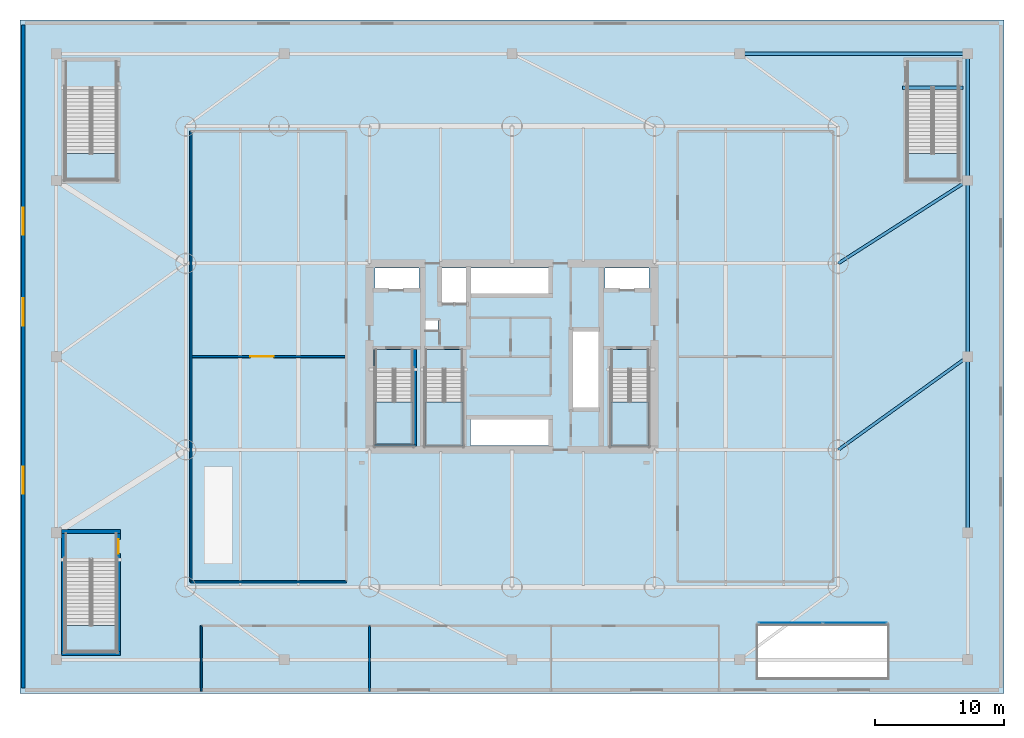
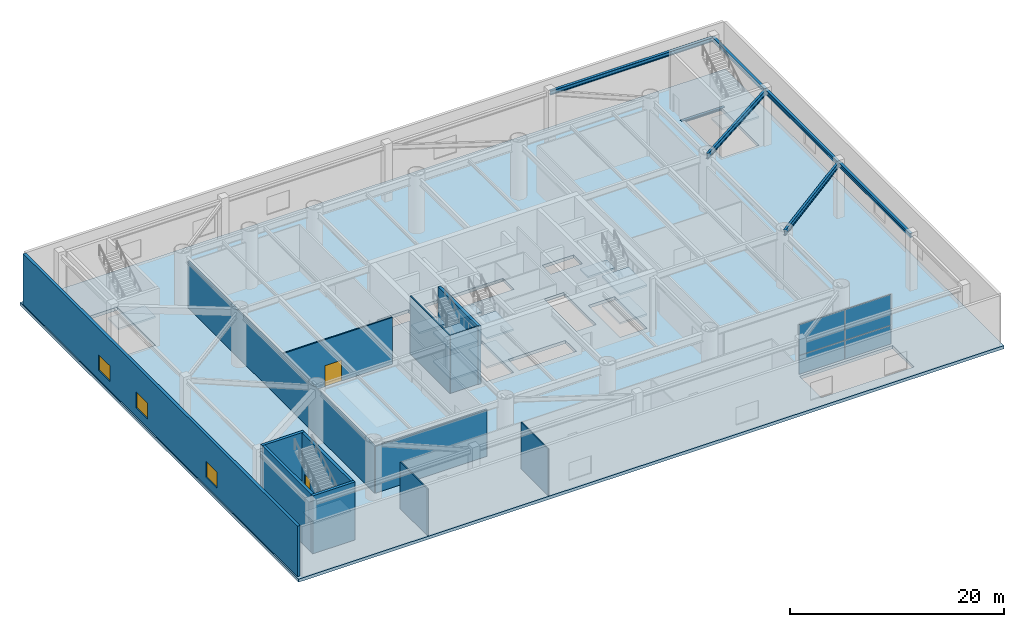
# One storey, part 5 of 16: 13 slabs, 13 walls, 7 beams, 4 plates, 3 windows, 2 doors, 5 openings, 7 elements without a shape of their own.
"""IFC4 building model written with IfcOpenShell, lengths in metres."""

from ifc_helpers import new_model, si_unit, direction, frame, frame_2d, origin, origin_2d, place, context, subcontext, project, spatial, polyline, rectangle, i_section, outline, extrude, material, layer, layer_set, material_profile, profile_set, type_object, element, fill, aggregate, save


model = new_model("IFC4")

# Units and contexts
model_context = context("Model", 3, precision=1e-05, world=origin(), true_north=direction((0.0, 1.0)))
body_context = subcontext(model_context, "Body", "Model", "MODEL_VIEW")
ifc_project = project(units=[si_unit("LENGTHUNIT", "METRE"), si_unit("AREAUNIT", "SQUARE_METRE"), si_unit("VOLUMEUNIT", "CUBIC_METRE"), si_unit("PLANEANGLEUNIT", "RADIAN"), si_unit("MASSUNIT", "GRAM", prefix="KILO")], contexts=[model_context])

# Site, building, storey
site_placement = place(None, origin())
site = spatial("IfcSite", under=ifc_project, at=site_placement, CompositionType="ELEMENT")
building_placement = place(site_placement, origin())
building = spatial("IfcBuilding", under=site, at=building_placement, Name="Bramvorn Convention Spire", CompositionType="ELEMENT")
storey_placement = place(building_placement, frame((0.0, 0.0, 12.0)))
storey = spatial("IfcBuildingStorey", under=building, at=storey_placement, Name="L02", CompositionType="ELEMENT", Elevation=12.0)

# Beams
ifc_material_1 = material(Name="Steel CSA G40.21 Grade 350 (350W)", Category="steel")
ifc_material_profile_1 = material_profile(ifc_material_1, i_section(OverallWidth=0.25390625, OverallDepth=0.2529296875, WebThickness=0.008544921875, FlangeThickness=0.01416015625, FilletRadius=0.011962890625, at=origin_2d()))
ifc_profile_set_1 = profile_set([ifc_material_profile_1], Name="Steel CSA G40.21 Grade 350 (350W) - W250X73")
beam_type_1 = type_object("IfcBeamType", Name="BM-W250X73", PredefinedType="BEAM", material=ifc_profile_set_1)
beam_1_placement = place(storey_placement, frame((68.169921875, 46.760009765625, -0.12646484375), z_axis=(1.0, 0.0, 0.0), x_axis=(0.0, 1.0, 0.0)))
element("IfcBeam", 1, at=beam_1_placement, inside=storey, type_object=beam_type_1, Name="L02 ST5 stair arrival header beam", PredefinedType="BEAM", context=body_context, shape_type="SweptSolid", body=[
    extrude(i_section(OverallWidth=0.25390625, OverallDepth=0.2529296875, WebThickness=0.008544921875, FlangeThickness=0.01416015625, FilletRadius=0.011962890625, at=origin_2d()), origin(), (0.0, 0.0, 1.0), 4.68017578125),
])
ifc_material_profile_2 = material_profile(ifc_material_1, i_section(OverallWidth=0.283935546875, OverallDepth=0.47607421875, WebThickness=0.014892578125, FlangeThickness=0.02392578125, FilletRadius=0.01806640625, at=origin_2d()))
ifc_profile_set_2 = profile_set([ifc_material_profile_2], Name="Steel CSA G40.21 Grade 350 (350W) - W460X158")
beam_type_2 = type_object("IfcBeamType", Name="BM-W460X158", PredefinedType="SPANDREL", material=ifc_profile_set_2)
for number, where, z_axis, x_axis, name in (
    (2, (73.199951171875, 12.39990234375, 6.011962890625), (0.0, 1.0, 0.0), (-1.0, 0.0, 0.0), "L02 podium spandrel beam 06"),
    (3, (73.199951171875, 26.0, 6.011962890625), (0.0, 1.0, 0.0), (-1.0, 0.0, 0.0), "L02 podium spandrel beam 07"),
):
    element("IfcBeam", number, at=place(storey_placement, frame(where, z_axis=z_axis, x_axis=x_axis)), inside=storey, type_object=beam_type_2, Name=name, PredefinedType="SPANDREL", context=body_context, shape_type="SweptSolid", body=[
        extrude(i_section(OverallWidth=0.283935546875, OverallDepth=0.47607421875, WebThickness=0.014892578125, FlangeThickness=0.02392578125, FilletRadius=0.01806640625, at=origin_2d()), origin(), (0.0, 0.0, 1.0), 13.60009765625),
    ])
beam_2_placement = place(storey_placement, frame((73.199951171875, 39.60009765625, 6.011962890625), z_axis=(0.0, 1.0, 0.0), x_axis=(-1.0, 0.0, 0.0)))
element("IfcBeam", 4, at=beam_2_placement, inside=storey, type_object=beam_type_2, Name="L02 podium spandrel beam 08", PredefinedType="SPANDREL", context=body_context, shape_type="SweptSolid", body=[
    extrude(i_section(OverallWidth=0.283935546875, OverallDepth=0.47607421875, WebThickness=0.014892578125, FlangeThickness=0.02392578125, FilletRadius=0.01806640625, at=origin_2d()), origin(), (0.0, 0.0, 1.0), 9.7998046875),
])
beam_3_placement = place(storey_placement, frame((73.199951171875, 49.39990234375, 6.011962890625), z_axis=(-1.0, 0.0, 0.0), x_axis=(0.0, -1.0, 0.0)))
element("IfcBeam", 5, at=beam_3_placement, inside=storey, type_object=beam_type_2, Name="L02 podium spandrel beam 09", PredefinedType="SPANDREL", context=body_context, shape_type="SweptSolid", body=[
    extrude(i_section(OverallWidth=0.283935546875, OverallDepth=0.47607421875, WebThickness=0.014892578125, FlangeThickness=0.02392578125, FilletRadius=0.01806640625, at=origin_2d()), origin(), (0.0, 0.0, 1.0), 17.599853515625),
])
ifc_material_profile_3 = material_profile(ifc_material_1, i_section(OverallWidth=0.22998046875, OverallDepth=0.616943359375, WebThickness=0.01318359375, FlangeThickness=0.022216796875, FilletRadius=0.02001953125, at=origin_2d()))
ifc_profile_set_3 = profile_set([ifc_material_profile_3], Name="Steel CSA G40.21 Grade 350 (350W) - W610X140")
beam_type_3 = type_object("IfcBeamType", Name="BM-W610X140", PredefinedType="BEAM", material=ifc_profile_set_3)
beam_4_placement = place(storey_placement, frame((63.199951171875, 18.800048828125, 5.94140625), z_axis=(0.811536220436, 0.584302116135, 0.0), x_axis=(-0.584302116135, 0.811536220436, 0.0)))
element("IfcBeam", 6, at=beam_4_placement, inside=storey, type_object=beam_type_3, Name="L02 podium east bay girder 1", PredefinedType="BEAM", context=body_context, shape_type="SweptSolid", body=[
    extrude(i_section(OverallWidth=0.22998046875, OverallDepth=0.616943359375, WebThickness=0.01318359375, FlangeThickness=0.022216796875, FilletRadius=0.02001953125, at=origin_2d()), origin(), (0.0, 0.0, 1.0), 12.322265625),
])
beam_5_placement = place(storey_placement, frame((63.199951171875, 33.199951171875, 5.94140625), z_axis=(0.842265798855, 0.539062449145, 0.0), x_axis=(-0.539062449145, 0.842265798855, 0.0)))
element("IfcBeam", 7, at=beam_5_placement, inside=storey, type_object=beam_type_3, Name="L02 podium east bay girder 2", PredefinedType="BEAM", context=body_context, shape_type="SweptSolid", body=[
    extrude(i_section(OverallWidth=0.22998046875, OverallDepth=0.616943359375, WebThickness=0.01318359375, FlangeThickness=0.022216796875, FilletRadius=0.02001953125, at=origin_2d()), origin(), (0.0, 0.0, 1.0), 11.872802734375),
])

# Curtain wall, plates
ifc_material_2 = material(Name="Anodised Bronze Unitised Curtain Wall", Category="aluminium")
ifc_layer_1 = layer(ifc_material_2, 0.219970703125)
ifc_layer_set_1 = layer_set([ifc_layer_1], Name="Anodised Bronze Unitised Curtain Wall - CW-POD-LANCET")
curtain_wall_type = type_object("IfcCurtainWallType", Name="CW-POD-LANCET", PredefinedType="USERDEFINED", material=ifc_layer_set_1)
curtain_wall_placement = place(storey_placement, origin())
curtain_wall = element("IfcCurtainWall", 8, at=curtain_wall_placement, inside=storey, type_object=curtain_wall_type, Name="L02 SE colonnade lancet curtain wall", ObjectType="UNITISED CURTAIN WALL", PredefinedType="USERDEFINED")
ifc_material_3 = material(Name="Laminated Low-E Glass (Acoustic Laminated Podium Triple IGU)", Category="glass")
ifc_layer_2 = layer(ifc_material_3, 0.0458984375)
ifc_layer_set_2 = layer_set([ifc_layer_2], Name="Laminated Low-E Glass (Acoustic Laminated Podium Triple IGU) - PNL-IGU-5")
plate_type = type_object("IfcPlateType", Name="PNL-IGU-5", PredefinedType="CURTAIN_PANEL", material=ifc_layer_set_2)
plate_1_placement = place(storey_placement, frame((59.514892578125, 5.449951171875, 0.06005859375), z_axis=(0.0, 0.0, 1.0), x_axis=(1.0, 0.0, 0.0)))
plate_1 = element("IfcPlate", 9, at=plate_1_placement, type_object=plate_type, Name="CW1 panel 1.1", PredefinedType="CURTAIN_PANEL", context=body_context, shape_type="SweptSolid", body=[
    extrude(rectangle(XDim=4.909912109375, YDim=0.028076171875, at=origin_2d()), origin(), (0.0, 0.0, 1.0), 2.110107421875),
])
plate_2_placement = place(storey_placement, frame((59.514892578125, 5.449951171875, 2.22998046875), z_axis=(0.0, 0.0, 1.0), x_axis=(1.0, 0.0, 0.0)))
plate_2 = element("IfcPlate", 10, at=plate_2_placement, type_object=plate_type, Name="CW1 panel 1.2", PredefinedType="CURTAIN_PANEL", context=body_context, shape_type="SweptSolid", body=[
    extrude(rectangle(XDim=4.909912109375, YDim=0.028076171875, at=origin_2d()), origin(), (0.0, 0.0, 1.0), 3.469970703125),
])
plate_3_placement = place(storey_placement, frame((64.485107421875, 5.449951171875, 0.06005859375), z_axis=(0.0, 0.0, 1.0), x_axis=(1.0, 0.0, 0.0)))
plate_3 = element("IfcPlate", 11, at=plate_3_placement, type_object=plate_type, Name="CW1 panel 2.1", PredefinedType="CURTAIN_PANEL", context=body_context, shape_type="SweptSolid", body=[
    extrude(rectangle(XDim=4.909912109375, YDim=0.028076171875, at=origin_2d()), origin(), (0.0, 0.0, 1.0), 2.110107421875),
])
plate_4_placement = place(storey_placement, frame((64.485107421875, 5.449951171875, 2.22998046875), z_axis=(0.0, 0.0, 1.0), x_axis=(1.0, 0.0, 0.0)))
plate_4 = element("IfcPlate", 12, at=plate_4_placement, type_object=plate_type, Name="CW1 panel 2.2", PredefinedType="CURTAIN_PANEL", context=body_context, shape_type="SweptSolid", body=[
    extrude(rectangle(XDim=4.909912109375, YDim=0.028076171875, at=origin_2d()), origin(), (0.0, 0.0, 1.0), 3.469970703125),
])
aggregate(curtain_wall, [plate_1, plate_2, plate_3, plate_4])

# Slab
ifc_material_4 = material(Name="Concrete C50/60", Category="concrete")
ifc_layer_3 = layer(ifc_material_4, 0.35009765625)
ifc_layer_set_3 = layer_set([ifc_layer_3], Name="Concrete C50/60 - SLB-POD-350")
slab_type_1 = type_object("IfcSlabType", Name="SLB-POD-350", PredefinedType="FLOOR", material=ifc_layer_set_3)
slab_1_placement = place(storey_placement, frame((0.0, 0.0, -0.35009765625)))
element("IfcSlab", 13, at=slab_1_placement, inside=storey, type_object=slab_type_1, Name="L02 podium composite floor slab", PredefinedType="FLOOR", context=body_context, shape_type="SweptSolid", body=[
    extrude(outline(polyline([(0.0, 0.0), (76.0, 0.0), (76.0, 52.0), (0.0, 52.0), (0.0, 0.0)]), holes=[polyline([(27.449951171875, 25.050048828125), (27.449951171875, 19.10009765625), (30.35009765625, 19.10009765625), (30.35009765625, 25.050048828125), (27.449951171875, 25.050048828125)]), polyline([(45.64990234375, 25.050048828125), (45.64990234375, 19.10009765625), (48.550048828125, 19.10009765625), (48.550048828125, 25.050048828125), (45.64990234375, 25.050048828125)]), polyline([(31.300048828125, 25.050048828125), (31.300048828125, 19.10009765625), (34.199951171875, 19.10009765625), (34.199951171875, 25.050048828125), (31.300048828125, 25.050048828125)]), polyline([(3.5, 10.35009765625), (3.5, 3.199951171875), (7.47998046875, 3.199951171875), (7.47998046875, 10.35009765625), (3.5, 10.35009765625)]), polyline([(68.52001953125, 46.800048828125), (68.52001953125, 39.64990234375), (72.5, 39.64990234375), (72.5, 46.800048828125), (68.52001953125, 46.800048828125)]), polyline([(3.5, 46.800048828125), (3.5, 39.64990234375), (7.47998046875, 39.64990234375), (7.47998046875, 46.800048828125), (3.5, 46.800048828125)]), polyline([(27.39990234375, 31.219970703125), (30.800048828125, 31.219970703125), (30.800048828125, 32.85009765625), (27.39990234375, 32.85009765625), (27.39990234375, 31.219970703125)]), polyline([(45.199951171875, 31.219970703125), (48.60009765625, 31.219970703125), (48.60009765625, 32.85009765625), (45.199951171875, 32.85009765625), (45.199951171875, 31.219970703125)]), polyline([(32.449951171875, 30.14990234375), (34.56005859375, 30.14990234375), (34.56005859375, 32.85009765625), (32.449951171875, 32.85009765625), (32.449951171875, 30.14990234375)]), polyline([(34.800048828125, 30.800048828125), (40.97998046875, 30.800048828125), (40.97998046875, 32.85009765625), (34.800048828125, 32.85009765625), (34.800048828125, 30.800048828125)]), polyline([(34.800048828125, 19.14990234375), (40.97998046875, 19.14990234375), (40.97998046875, 21.199951171875), (34.800048828125, 21.199951171875), (34.800048828125, 19.14990234375)]), polyline([(42.6201171875, 22.0), (44.75, 22.0), (44.75, 28.0), (42.6201171875, 28.0), (42.6201171875, 22.0)]), polyline([(31.320068359375, 28.02001953125), (32.280029296875, 28.02001953125), (32.280029296875, 28.820068359375), (31.320068359375, 28.820068359375), (31.320068359375, 28.02001953125)]), polyline([(57.0, 1.199951171875), (67.0, 1.199951171875), (67.0, 5.199951171875), (57.0, 5.199951171875), (57.0, 1.199951171875)])]), origin(), (0.0, 0.0, 1.0), 0.35009765625),
])

# Stair, slabs
ifc_material_5 = material(Name="Concrete C40/50 Precast Stair", Category="concrete")
stair_type_1 = type_object("IfcStairType", Name="ST-TOWER-1550", PredefinedType="HALF_TURN_STAIR", material=ifc_material_5)
stair_1_placement = place(storey_placement, origin())
stair_1 = element("IfcStair", 14, at=stair_1_placement, inside=storey, type_object=stair_type_1, Name="L02 Protected Exit Stair ST1", PredefinedType="HALF_TURN_STAIR")
ifc_material_6 = material(Name="Concrete C40/50 Stair Landing", Category="concrete")
ifc_layer_4 = layer(ifc_material_6, 0.219970703125)
ifc_layer_set_4 = layer_set([ifc_layer_4], Name="Concrete C40/50 Stair Landing - SLB-STAIR-LANDING")
slab_type_2 = type_object("IfcSlabType", Name="SLB-STAIR-LANDING", PredefinedType="LANDING", material=ifc_layer_set_4)
slab_2_placement = place(storey_placement, frame((0.0, 0.0, 1.449951171875)))
slab_2 = element("IfcSlab", 15, at=slab_2_placement, type_object=slab_type_2, Name="ST1 landing 1", PredefinedType="LANDING", context=body_context, shape_type="SweptSolid", body=[
    extrude(outline(polyline([(27.449951171875, 22.485107421875), (27.449951171875, 19.10009765625), (30.35009765625, 19.10009765625), (30.35009765625, 22.485107421875), (27.449951171875, 22.485107421875)])), origin(), (0.0, 0.0, 1.0), 0.199951171875),
])
slab_3_placement = place(storey_placement, frame((0.0, 0.0, 3.10009765625)))
slab_3 = element("IfcSlab", 16, at=slab_3_placement, type_object=slab_type_2, Name="ST1 landing 2", PredefinedType="LANDING", context=body_context, shape_type="SweptSolid", body=[
    extrude(outline(polyline([(27.449951171875, 26.550048828125), (27.449951171875, 25.050048828125), (30.35009765625, 25.050048828125), (30.35009765625, 26.550048828125), (27.449951171875, 26.550048828125)])), origin(), (0.0, 0.0, 1.0), 0.199951171875),
])
slab_4_placement = place(storey_placement, frame((0.0, 0.0, 4.75)))
slab_4 = element("IfcSlab", 17, at=slab_4_placement, type_object=slab_type_2, Name="ST1 landing 3", PredefinedType="LANDING", context=body_context, shape_type="SweptSolid", body=[
    extrude(outline(polyline([(27.449951171875, 22.485107421875), (27.449951171875, 19.10009765625), (30.35009765625, 19.10009765625), (30.35009765625, 22.485107421875), (27.449951171875, 22.485107421875)])), origin(), (0.0, 0.0, 1.0), 0.199951171875),
])
aggregate(stair_1, [slab_2, slab_3, slab_4])

stair_2_placement = place(storey_placement, origin())
stair_2 = element("IfcStair", 18, at=stair_2_placement, inside=storey, type_object=stair_type_1, Name="L02 Protected Exit Stair ST2", PredefinedType="HALF_TURN_STAIR")
slab_5_placement = place(storey_placement, frame((0.0, 0.0, 1.449951171875)))
slab_5 = element("IfcSlab", 19, at=slab_5_placement, type_object=slab_type_2, Name="ST2 landing 1", PredefinedType="LANDING", context=body_context, shape_type="SweptSolid", body=[
    extrude(outline(polyline([(45.64990234375, 22.485107421875), (45.64990234375, 19.10009765625), (48.550048828125, 19.10009765625), (48.550048828125, 22.485107421875), (45.64990234375, 22.485107421875)])), origin(), (0.0, 0.0, 1.0), 0.199951171875),
])
slab_6_placement = place(storey_placement, frame((0.0, 0.0, 3.10009765625)))
slab_6 = element("IfcSlab", 20, at=slab_6_placement, type_object=slab_type_2, Name="ST2 landing 2", PredefinedType="LANDING", context=body_context, shape_type="SweptSolid", body=[
    extrude(outline(polyline([(45.64990234375, 26.550048828125), (45.64990234375, 25.050048828125), (48.550048828125, 25.050048828125), (48.550048828125, 26.550048828125), (45.64990234375, 26.550048828125)])), origin(), (0.0, 0.0, 1.0), 0.199951171875),
])
slab_7_placement = place(storey_placement, frame((0.0, 0.0, 4.75)))
slab_7 = element("IfcSlab", 21, at=slab_7_placement, type_object=slab_type_2, Name="ST2 landing 3", PredefinedType="LANDING", context=body_context, shape_type="SweptSolid", body=[
    extrude(outline(polyline([(45.64990234375, 22.485107421875), (45.64990234375, 19.10009765625), (48.550048828125, 19.10009765625), (48.550048828125, 22.485107421875), (45.64990234375, 22.485107421875)])), origin(), (0.0, 0.0, 1.0), 0.199951171875),
])
aggregate(stair_2, [slab_5, slab_6, slab_7])

stair_3_placement = place(storey_placement, origin())
stair_3 = element("IfcStair", 22, at=stair_3_placement, inside=storey, type_object=stair_type_1, Name="L02 Protected Exit Stair ST3", PredefinedType="HALF_TURN_STAIR")
slab_8_placement = place(storey_placement, frame((0.0, 0.0, 1.449951171875)))
slab_8 = element("IfcSlab", 23, at=slab_8_placement, type_object=slab_type_2, Name="ST3 landing 1", PredefinedType="LANDING", context=body_context, shape_type="SweptSolid", body=[
    extrude(outline(polyline([(31.300048828125, 22.485107421875), (31.300048828125, 19.10009765625), (34.199951171875, 19.10009765625), (34.199951171875, 22.485107421875), (31.300048828125, 22.485107421875)])), origin(), (0.0, 0.0, 1.0), 0.199951171875),
])
slab_9_placement = place(storey_placement, frame((0.0, 0.0, 3.10009765625)))
slab_9 = element("IfcSlab", 24, at=slab_9_placement, type_object=slab_type_2, Name="ST3 landing 2", PredefinedType="LANDING", context=body_context, shape_type="SweptSolid", body=[
    extrude(outline(polyline([(31.300048828125, 26.550048828125), (31.300048828125, 25.050048828125), (34.199951171875, 25.050048828125), (34.199951171875, 26.550048828125), (31.300048828125, 26.550048828125)])), origin(), (0.0, 0.0, 1.0), 0.199951171875),
])
slab_10_placement = place(storey_placement, frame((0.0, 0.0, 4.75)))
slab_10 = element("IfcSlab", 25, at=slab_10_placement, type_object=slab_type_2, Name="ST3 landing 3", PredefinedType="LANDING", context=body_context, shape_type="SweptSolid", body=[
    extrude(outline(polyline([(31.300048828125, 22.485107421875), (31.300048828125, 19.10009765625), (34.199951171875, 19.10009765625), (34.199951171875, 22.485107421875), (31.300048828125, 22.485107421875)])), origin(), (0.0, 0.0, 1.0), 0.199951171875),
])
aggregate(stair_3, [slab_8, slab_9, slab_10])

# Stair, slab
ifc_material_7 = material(Name="Concrete C40/50 Grand Exit Stair", Category="concrete")
stair_type_2 = type_object("IfcStairType", Name="ST-PODIUM-1950", PredefinedType="HALF_TURN_STAIR", material=ifc_material_7)
stair_4_placement = place(storey_placement, origin())
stair_4 = element("IfcStair", 26, at=stair_4_placement, inside=storey, type_object=stair_type_2, Name="L02 Protected Exit Stair ST4", PredefinedType="HALF_TURN_STAIR")
slab_11_placement = place(storey_placement, frame((0.0, 0.0, 3.10009765625)))
slab_11 = element("IfcSlab", 27, at=slab_11_placement, type_object=slab_type_2, Name="ST4 landing 1", PredefinedType="LANDING", context=body_context, shape_type="SweptSolid", body=[
    extrude(outline(polyline([(3.5, 5.219970703125), (3.5, 3.199951171875), (7.47998046875, 3.199951171875), (7.47998046875, 5.219970703125), (3.5, 5.219970703125)])), origin(), (0.0, 0.0, 1.0), 0.199951171875),
])
aggregate(stair_4, [slab_11])

stair_5_placement = place(storey_placement, origin())
stair_5 = element("IfcStair", 28, at=stair_5_placement, inside=storey, type_object=stair_type_2, Name="L02 Protected Exit Stair ST5", PredefinedType="HALF_TURN_STAIR")
slab_12_placement = place(storey_placement, frame((0.0, 0.0, 3.10009765625)))
slab_12 = element("IfcSlab", 29, at=slab_12_placement, type_object=slab_type_2, Name="ST5 landing 1", PredefinedType="LANDING", context=body_context, shape_type="SweptSolid", body=[
    extrude(outline(polyline([(68.52001953125, 41.669921875), (68.52001953125, 39.64990234375), (72.5, 39.64990234375), (72.5, 41.669921875), (68.52001953125, 41.669921875)])), origin(), (0.0, 0.0, 1.0), 0.199951171875),
])
aggregate(stair_5, [slab_12])

stair_6_placement = place(storey_placement, origin())
stair_6 = element("IfcStair", 30, at=stair_6_placement, inside=storey, type_object=stair_type_2, Name="L02 Protected Exit Stair ST6", PredefinedType="HALF_TURN_STAIR")
slab_13_placement = place(storey_placement, frame((0.0, 0.0, 3.10009765625)))
slab_13 = element("IfcSlab", 31, at=slab_13_placement, type_object=slab_type_2, Name="ST6 landing 1", PredefinedType="LANDING", context=body_context, shape_type="SweptSolid", body=[
    extrude(outline(polyline([(3.5, 41.669921875), (3.5, 39.64990234375), (7.47998046875, 39.64990234375), (7.47998046875, 41.669921875), (3.5, 41.669921875)])), origin(), (0.0, 0.0, 1.0), 0.199951171875),
])
aggregate(stair_6, [slab_13])

# Wall, openings, windows
ifc_material_8 = material(Name="Precast Concrete C40/50 with Bronze Terracotta Rainscreen", Category="masonry")
ifc_layer_5 = layer(ifc_material_8, 0.300048828125)
ifc_layer_set_5 = layer_set([ifc_layer_5], Name="Precast Concrete C40/50 with Bronze Terracotta Rainscreen - WL-EXT-BRONZE-300")
wall_type_1 = type_object("IfcWallType", Name="WL-EXT-BRONZE-300", PredefinedType="SOLIDWALL", material=ifc_layer_set_5)
wall_1_placement = place(storey_placement, frame((0.25, 0.39990234375, 0.0), z_axis=(0.0, 0.0, 1.0), x_axis=(0.0, 1.0, 0.0)))
wall_1 = element("IfcWall", 32, at=wall_1_placement, inside=storey, type_object=wall_type_1, Name="L02 West podium bronze facade wall", PredefinedType="SOLIDWALL", context=body_context, shape_type="SweptSolid", body=[
    extrude(rectangle(XDim=51.2001953125, YDim=0.300048828125, at=frame_2d((25.60009765625, 0.0))), origin(), (0.0, 0.0, 1.0), 5.760009765625),
])
opening_1_placement = place(wall_1_placement, frame((15.0, 0.0, 1.0)))
opening_1 = element("IfcOpeningElement", 33, at=opening_1_placement, cuts=wall_1, Name="Opening WN04", PredefinedType="OPENING", context=body_context, shape_type="SweptSolid", body=[
    extrude(rectangle(XDim=2.10009765625, YDim=1.800048828125, at=frame_2d((1.050048828125, 0.89990234375))), frame((0.0, 0.159912109375, 0.0), z_axis=(0.0, -1.0, 0.0), x_axis=(1.0, 0.0, 0.0)), (0.0, 0.0, 1.0), 0.320068359375),
])
opening_2_placement = place(wall_1_placement, frame((28.0, 0.0, 1.0)))
opening_2 = element("IfcOpeningElement", 34, at=opening_2_placement, cuts=wall_1, Name="Opening WN04", PredefinedType="OPENING", context=body_context, shape_type="SweptSolid", body=[
    extrude(rectangle(XDim=2.10009765625, YDim=1.800048828125, at=frame_2d((1.050048828125, 0.89990234375))), frame((0.0, 0.159912109375, 0.0), z_axis=(0.0, -1.0, 0.0), x_axis=(1.0, 0.0, 0.0)), (0.0, 0.0, 1.0), 0.320068359375),
])
opening_3_placement = place(wall_1_placement, frame((35.0, 0.0, 1.0)))
opening_3 = element("IfcOpeningElement", 35, at=opening_3_placement, cuts=wall_1, Name="Opening WN04", PredefinedType="OPENING", context=body_context, shape_type="SweptSolid", body=[
    extrude(rectangle(XDim=2.10009765625, YDim=1.800048828125, at=frame_2d((1.050048828125, 0.89990234375))), frame((0.0, 0.159912109375, 0.0), z_axis=(0.0, -1.0, 0.0), x_axis=(1.0, 0.0, 0.0)), (0.0, 0.0, 1.0), 0.320068359375),
])
ifc_material_9 = material(Name="Thermally Broken Bronze Aluminium & Triple Low-E Glass", Category="aluminium")
window_type = type_object("IfcWindowType", Name="WN-OP-2100X1800", PartitioningType="SINGLE_PANEL", PredefinedType="WINDOW", material=ifc_material_9)
window_1_placement = place(opening_1_placement, origin())
window_1 = element("IfcWindow", 36, at=window_1_placement, inside=storey, type_object=window_type, Name="L02 West operable window 1", OverallHeight=1.800048828125, OverallWidth=2.10009765625, PartitioningType="SINGLE_PANEL", PredefinedType="WINDOW", context=body_context, shape_type="SweptSolid", body=[
    extrude(rectangle(XDim=2.10009765625, YDim=1.800048828125, at=frame_2d((1.050048828125, 0.89990234375))), frame((0.0, 0.030029296875, 0.0), z_axis=(0.0, -1.0, 0.0), x_axis=(1.0, 0.0, 0.0)), (0.0, 0.0, 1.0), 0.06005859375),
])
fill(opening_1, window_1)
window_2_placement = place(opening_2_placement, origin())
window_2 = element("IfcWindow", 37, at=window_2_placement, inside=storey, type_object=window_type, Name="L02 West operable window 2", OverallHeight=1.800048828125, OverallWidth=2.10009765625, PartitioningType="SINGLE_PANEL", PredefinedType="WINDOW", context=body_context, shape_type="SweptSolid", body=[
    extrude(rectangle(XDim=2.10009765625, YDim=1.800048828125, at=frame_2d((1.050048828125, 0.89990234375))), frame((0.0, 0.030029296875, 0.0), z_axis=(0.0, -1.0, 0.0), x_axis=(1.0, 0.0, 0.0)), (0.0, 0.0, 1.0), 0.06005859375),
])
fill(opening_2, window_2)
window_3_placement = place(opening_3_placement, origin())
window_3 = element("IfcWindow", 38, at=window_3_placement, inside=storey, type_object=window_type, Name="L02 West operable window 3", OverallHeight=1.800048828125, OverallWidth=2.10009765625, PartitioningType="SINGLE_PANEL", PredefinedType="WINDOW", context=body_context, shape_type="SweptSolid", body=[
    extrude(rectangle(XDim=2.10009765625, YDim=1.800048828125, at=frame_2d((1.050048828125, 0.89990234375))), frame((0.0, 0.030029296875, 0.0), z_axis=(0.0, -1.0, 0.0), x_axis=(1.0, 0.0, 0.0)), (0.0, 0.0, 1.0), 0.06005859375),
])
fill(opening_3, window_3)

# Wall, opening, door
ifc_material_10 = material(Name="Motorised Operable Acoustic Hall Partition", Category="gypsum")
ifc_layer_6 = layer(ifc_material_10, 0.139892578125)
ifc_layer_set_6 = layer_set([ifc_layer_6], Name="Motorised Operable Acoustic Hall Partition - WL-MOVABLE-140")
wall_type_2 = type_object("IfcWallType", Name="WL-MOVABLE-140", PredefinedType="MOVABLE", material=ifc_layer_set_6)
wall_2_placement = place(storey_placement, frame((13.300048828125, 26.0, 0.0), z_axis=(0.0, 0.0, 1.0), x_axis=(1.0, 0.0, 0.0)))
wall_2 = element("IfcWall", 39, at=wall_2_placement, inside=storey, type_object=wall_type_2, Name="L02 Operable hall wall W", PredefinedType="MOVABLE", context=body_context, shape_type="SweptSolid", body=[
    extrude(rectangle(XDim=11.800048828125, YDim=0.139892578125, at=frame_2d((5.89990234375, 0.0))), origin(), (0.0, 0.0, 1.0), 5.31005859375),
])
opening_4_placement = place(wall_2_placement, frame((4.5, 0.0, 0.0)))
opening_4 = element("IfcOpeningElement", 40, at=opening_4_placement, cuts=wall_2, Name="Opening DH-180", PredefinedType="OPENING", context=body_context, shape_type="SweptSolid", body=[
    extrude(rectangle(XDim=1.800048828125, YDim=2.35009765625, at=frame_2d((0.89990234375, 1.175048828125))), frame((0.0, 0.079833984375, 0.0), z_axis=(0.0, -1.0, 0.0), x_axis=(1.0, 0.0, 0.0)), (0.0, 0.0, 1.0), 0.159912109375),
])
ifc_material_11 = material(Name="Double-Leaf Acoustic Assembly Hall Door", Category="wood")
door_type_1 = type_object("IfcDoorType", Name="DR-HALL-1800", OperationType="NOTDEFINED", PredefinedType="DOOR", material=ifc_material_11)
door_1_placement = place(opening_4_placement, origin())
door_1 = element("IfcDoor", 41, at=door_1_placement, inside=storey, type_object=door_type_1, Name="L02 Operable pass door W", OperationType="DOUBLE_DOOR_SINGLE_SWING", OverallHeight=2.35009765625, OverallWidth=1.800048828125, PredefinedType="DOOR", context=body_context, shape_type="SweptSolid", body=[
    extrude(rectangle(XDim=1.800048828125, YDim=2.35009765625, at=frame_2d((0.89990234375, 1.175048828125))), frame((0.0, 0.02490234375, 0.0), z_axis=(0.0, -1.0, 0.0), x_axis=(1.0, 0.0, 0.0)), (0.0, 0.0, 1.0), 0.050048828125),
])
fill(opening_4, door_1)

# Walls
ifc_material_12 = material(Name="Metal-Stud Demountable Office Partition", Category="gypsum")
ifc_layer_7 = layer(ifc_material_12, 0.1298828125)
ifc_layer_set_7 = layer_set([ifc_layer_7], Name="Metal-Stud Demountable Office Partition - WL-PART-130")
wall_type_3 = type_object("IfcWallType", Name="WL-PART-130", PredefinedType="PARTITIONING", material=ifc_layer_set_7)
for number, where, z_axis, x_axis, name in (
    (42, (14.0, 0.139892578125, 0.0), (0.0, 0.0, 1.0), (0.0, 1.0, 0.0), "L02 South divider 14"),
    (43, (27.0, 0.139892578125, 0.0), (0.0, 0.0, 1.0), (0.0, 1.0, 0.0), "L02 South divider 27"),
):
    element("IfcWall", number, at=place(storey_placement, frame(where, z_axis=z_axis, x_axis=x_axis)), inside=storey, type_object=wall_type_3, Name=name, PredefinedType="PARTITIONING", context=body_context, shape_type="SweptSolid", body=[
        extrude(rectangle(XDim=5.06005859375, YDim=0.1298828125, at=frame_2d((2.530029296875, 0.0))), origin(), (0.0, 0.0, 1.0), 5.31005859375),
    ])
ifc_material_13 = material(Name="Acoustic Metal-Stud Tenant/Corridor Partition", Category="gypsum")
ifc_layer_8 = layer(ifc_material_13, 0.14990234375)
ifc_layer_set_8 = layer_set([ifc_layer_8], Name="Acoustic Metal-Stud Tenant/Corridor Partition - WL-PART-150")
wall_type_4 = type_object("IfcWallType", Name="WL-PART-150", PredefinedType="PARTITIONING", material=ifc_layer_set_8)
wall_3_placement = place(storey_placement, frame((13.199951171875, 8.60009765625, 0.0), z_axis=(0.0, 0.0, 1.0), x_axis=(1.0, 0.0, 0.0)))
element("IfcWall", 44, at=wall_3_placement, inside=storey, type_object=wall_type_4, Name="L02 West Hall south wall", PredefinedType="PARTITIONING", context=body_context, shape_type="SweptSolid", body=[
    extrude(rectangle(XDim=12.0, YDim=0.14990234375, at=frame_2d((6.0, 0.0))), origin(), (0.0, 0.0, 1.0), 5.31005859375),
])
wall_4_placement = place(storey_placement, frame((13.199951171875, 8.60009765625, 0.0), z_axis=(0.0, 0.0, 1.0), x_axis=(0.0, 1.0, 0.0)))
element("IfcWall", 45, at=wall_4_placement, inside=storey, type_object=wall_type_4, Name="L02 West Hall outer gallery wall", PredefinedType="PARTITIONING", context=body_context, shape_type="SweptSolid", body=[
    extrude(rectangle(XDim=34.7998046875, YDim=0.14990234375, at=frame_2d((17.39990234375, 0.0))), origin(), (0.0, 0.0, 1.0), 5.31005859375),
])
ifc_layer_9 = layer(ifc_material_4, 0.300048828125)
ifc_layer_set_9 = layer_set([ifc_layer_9], Name="Concrete C50/60 - WL-POD-STAIR-300")
wall_type_5 = type_object("IfcWallType", Name="WL-POD-STAIR-300", PredefinedType="SHEAR", material=ifc_layer_set_9)
wall_5_placement = place(storey_placement, frame((30.489990234375, 19.050048828125, 0.0), z_axis=(0.0, 0.0, 1.0), x_axis=(0.0, 1.0, 0.0)))
element("IfcWall", 46, at=wall_5_placement, inside=storey, type_object=wall_type_5, Name="L02 ST1 east bearing wall", PredefinedType="SHEAR", context=body_context, shape_type="SweptSolid", body=[
    extrude(rectangle(XDim=7.5, YDim=0.300048828125, at=frame_2d((3.75, 0.0))), origin(), (0.0, 0.0, 1.0), 6.60009765625),
])
for number, where, z_axis, x_axis, name in (
    (47, (3.2099609375, 3.06005859375, 0.0), (0.0, 0.0, 1.0), (1.0, 0.0, 0.0), "L02 ST4 south shaft wall"),
    (48, (3.2099609375, 12.489990234375, 0.0), (0.0, 0.0, 1.0), (1.0, 0.0, 0.0), "L02 ST4 north shaft wall"),
):
    element("IfcWall", number, at=place(storey_placement, frame(where, z_axis=z_axis, x_axis=x_axis)), inside=storey, type_object=wall_type_5, Name=name, PredefinedType="SHEAR", context=body_context, shape_type="SweptSolid", body=[
        extrude(rectangle(XDim=4.56005859375, YDim=0.300048828125, at=frame_2d((2.280029296875, 0.0))), origin(), (0.0, 0.0, 1.0), 6.60009765625),
    ])
wall_6_placement = place(storey_placement, frame((3.360107421875, 3.2099609375, 0.0), z_axis=(0.0, 0.0, 1.0), x_axis=(0.0, 1.0, 0.0)))
element("IfcWall", 49, at=wall_6_placement, inside=storey, type_object=wall_type_5, Name="L02 ST4 west shaft wall", PredefinedType="SHEAR", context=body_context, shape_type="SweptSolid", body=[
    extrude(rectangle(XDim=9.130126953125, YDim=0.300048828125, at=frame_2d((4.56494140625, 0.0))), origin(), (0.0, 0.0, 1.0), 6.60009765625),
])

# Wall, opening, door
wall_7_placement = place(storey_placement, frame((7.6201171875, 12.340087890625, 0.0), z_axis=(0.0, 0.0, 1.0), x_axis=(0.0, -1.0, 0.0)))
wall_7 = element("IfcWall", 50, at=wall_7_placement, inside=storey, type_object=wall_type_5, Name="L02 ST4 east shaft wall", PredefinedType="SHEAR", context=body_context, shape_type="SweptSolid", body=[
    extrude(rectangle(XDim=9.130126953125, YDim=0.300048828125, at=frame_2d((4.56494140625, 0.0))), origin(), (0.0, 0.0, 1.0), 6.60009765625),
])
opening_5_placement = place(wall_7_placement, frame((0.449951171875, 0.0, 0.0)))
opening_5 = element("IfcOpeningElement", 51, at=opening_5_placement, cuts=wall_7, Name="Opening DS-110", PredefinedType="OPENING", context=body_context, shape_type="SweptSolid", body=[
    extrude(rectangle(XDim=1.10009765625, YDim=2.14990234375, at=frame_2d((0.550048828125, 1.074951171875))), frame((0.0, 0.159912109375, 0.0), z_axis=(0.0, -1.0, 0.0), x_axis=(1.0, 0.0, 0.0)), (0.0, 0.0, 1.0), 0.320068359375),
])
ifc_material_14 = material(Name="Fire-Rated Hollow Steel Stairwell Door", Category="steel")
door_type_2 = type_object("IfcDoorType", Name="DR-STAIR-1100", OperationType="NOTDEFINED", PredefinedType="DOOR", material=ifc_material_14)
door_2_placement = place(opening_5_placement, origin())
door_2 = element("IfcDoor", 52, at=door_2_placement, inside=storey, type_object=door_type_2, Name="L02 ST4 exit stairwell door", OperationType="SINGLE_SWING_LEFT", OverallHeight=2.14990234375, OverallWidth=1.10009765625, PredefinedType="DOOR", context=body_context, shape_type="SweptSolid", body=[
    extrude(rectangle(XDim=1.10009765625, YDim=2.14990234375, at=frame_2d((0.550048828125, 1.074951171875))), frame((0.0, 0.02490234375, 0.0), z_axis=(0.0, -1.0, 0.0), x_axis=(1.0, 0.0, 0.0)), (0.0, 0.0, 1.0), 0.050048828125),
])
fill(opening_5, door_2)

# Walls
ifc_layer_10 = layer(ifc_material_4, 0.1201171875)
ifc_layer_set_10 = layer_set([ifc_layer_10], Name="Concrete C50/60 - WL-STAIR-RC-120")
wall_type_6 = type_object("IfcWallType", Name="WL-STAIR-RC-120", PredefinedType="SHEAR", material=ifc_layer_set_10)
wall_8_placement = place(storey_placement, frame((27.39501953125, 19.10009765625, 0.0), z_axis=(0.0, 0.0, 1.0), x_axis=(0.0, 1.0, 0.0)))
element("IfcWall", 53, at=wall_8_placement, inside=storey, type_object=wall_type_6, Name="L02 ST1 west bearing shear wall", PredefinedType="SHEAR", context=body_context, shape_type="SweptSolid", body=[
    extrude(rectangle(XDim=7.449951171875, YDim=0.1201171875, at=frame_2d((3.72509765625, 0.0))), origin(), (0.0, 0.0, 1.0), 6.60009765625),
])
wall_9_placement = place(storey_placement, frame((27.39501953125, 19.159912109375, 0.0), z_axis=(0.0, 0.0, 1.0), x_axis=(1.0, 0.0, 0.0)))
element("IfcWall", 54, at=wall_9_placement, inside=storey, type_object=wall_type_6, Name="L02 ST1 south bearing shear wall", PredefinedType="SHEAR", context=body_context, shape_type="SweptSolid", body=[
    extrude(rectangle(XDim=3.094970703125, YDim=0.1201171875, at=frame_2d((1.54736328125, 0.0))), origin(), (0.0, 0.0, 1.0), 6.60009765625),
])

save(model, "model.ifc")
